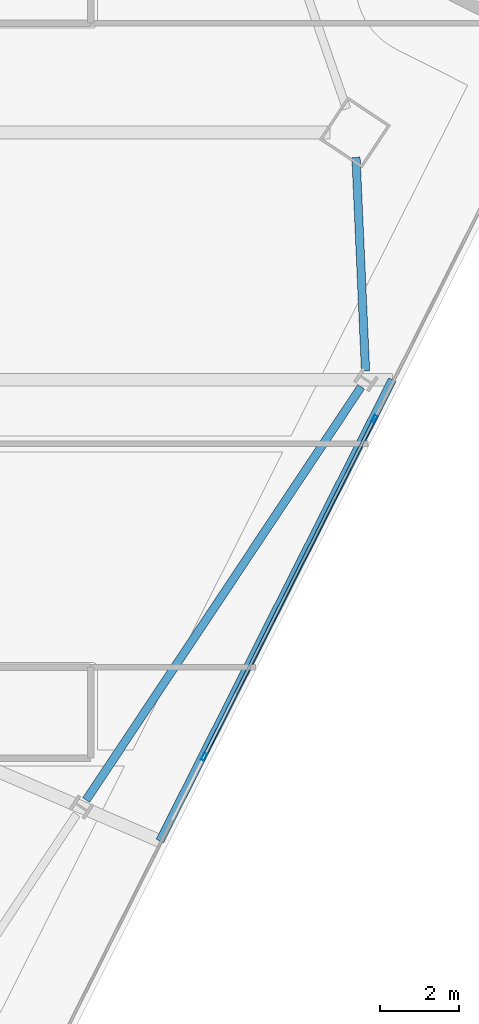
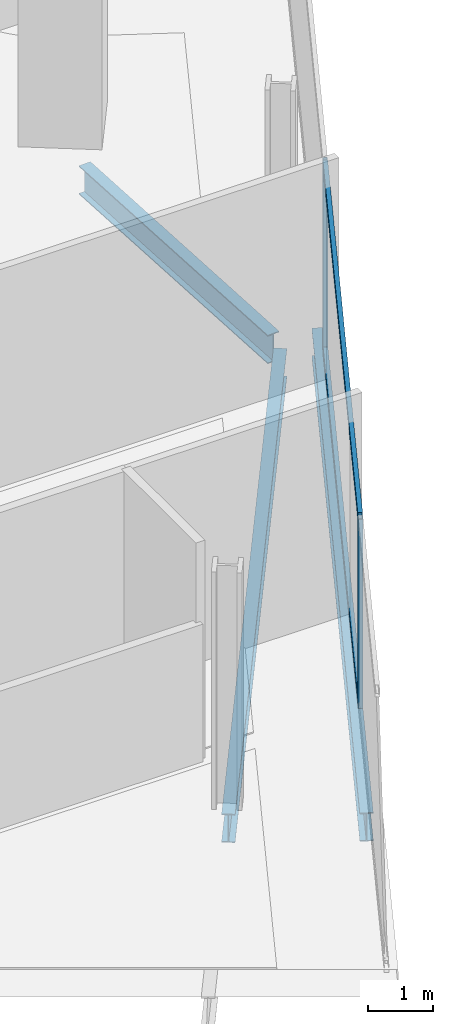
# One storey, part 12 of 27: 4 members, 3 beams, 1 element without a shape of its own.
"""IFC4 building model written with IfcOpenShell, lengths in metres."""

from ifc_helpers import new_model, si_unit, direction, frame, origin, origin_2d, place, context, subcontext, project, spatial, hollow_rectangle, i_section, extrude, material, material_profile, profile_set, type_object, element, aggregate, save


model = new_model("IFC4")

# Units and contexts
model_context = context("Model", 3, precision=1e-05, world=origin(), true_north=direction((0.0, 1.0)))
body_context = subcontext(model_context, "Body", "Model", "MODEL_VIEW")
ifc_project = project(units=[si_unit("LENGTHUNIT", "METRE"), si_unit("AREAUNIT", "SQUARE_METRE"), si_unit("VOLUMEUNIT", "CUBIC_METRE"), si_unit("PLANEANGLEUNIT", "RADIAN"), si_unit("MASSUNIT", "GRAM", prefix="KILO")], contexts=[model_context])

# Site, building, storey
site_placement = place(None, origin())
site = spatial("IfcSite", under=ifc_project, at=site_placement, CompositionType="ELEMENT")
building_placement = place(site_placement, origin())
building = spatial("IfcBuilding", under=site, at=building_placement, Name="Haldenkirk Collegiate Tower", CompositionType="ELEMENT")
storey_placement = place(building_placement, frame((0.0, 0.0, 239.699951171875)))
storey = spatial("IfcBuildingStorey", under=building, at=storey_placement, Name="L60", CompositionType="ELEMENT", Elevation=239.699951171875)

# Beams
ifc_material_1 = material(Name="Steel ASTM A992 Grade 50", Category="steel")
ifc_material_profile_1 = material_profile(ifc_material_1, i_section(OverallWidth=0.2099609375, OverallDepth=0.537109375, WebThickness=0.010986328125, FlangeThickness=0.017333984375, at=origin_2d()), Name="W21X68")
ifc_profile_set_1 = profile_set([ifc_material_profile_1], Name="Steel ASTM A992 Grade 50")
beam_type = type_object("IfcBeamType", Name="BM-SPANDREL-W21X68", PredefinedType="SPANDREL", material=ifc_profile_set_1)
beam_1_placement = place(storey_placement, frame((53.6845703125, 14.48876953125, -0.618408203125), z_axis=(0.554125989098, 0.832432813028, 0.0), x_axis=(-0.832432813028, 0.554125989098, 0.0)))
element("IfcBeam", 1, at=beam_1_placement, inside=storey, type_object=beam_type, Name="L60 perimeter spandrel beam 03", PredefinedType="SPANDREL", context=body_context, shape_type="SweptSolid", body=[
    extrude(i_section(OverallWidth=0.2099609375, OverallDepth=0.537109375, WebThickness=0.010986328125, FlangeThickness=0.017333984375, at=origin_2d()), origin(), (0.0, 0.0, 1.0), 12.56201171875),
])
beam_2_placement = place(storey_placement, frame((60.756103515625, 25.34326171875, -0.618408203125), z_axis=(-0.044622535616, 0.999003918569, 0.0), x_axis=(-0.999003918569, -0.044622535616, 0.0)))
element("IfcBeam", 2, at=beam_2_placement, inside=storey, type_object=beam_type, Name="L60 perimeter spandrel beam 04", PredefinedType="SPANDREL", context=body_context, shape_type="SweptSolid", body=[
    extrude(i_section(OverallWidth=0.2099609375, OverallDepth=0.537109375, WebThickness=0.010986328125, FlangeThickness=0.017333984375, at=origin_2d()), origin(), (0.0, 0.0, 1.0), 5.41650390625),
])
beam_3_placement = place(storey_placement, frame((55.549560546875, 13.452392578125, -0.618408203125), z_axis=(0.450102132145, 0.89297708293, 0.0), x_axis=(-0.89297708293, 0.450102132145, 0.0)))
element("IfcBeam", 3, at=beam_3_placement, inside=storey, type_object=beam_type, Name="L60 outer facade edge beam 1", PredefinedType="SPANDREL", context=body_context, shape_type="SweptSolid", body=[
    extrude(i_section(OverallWidth=0.2099609375, OverallDepth=0.537109375, WebThickness=0.010986328125, FlangeThickness=0.017333984375, at=origin_2d()), origin(), (0.0, 0.0, 1.0), 13.0732421875),
])

# Curtain wall, members
ifc_material_2 = material(Name="Anodised architectural bronze aluminium", Category="aluminium")
curtain_wall_type = type_object("IfcCurtainWallType", Name="CW-SYS2-CONCAVE", PredefinedType="USERDEFINED", material=ifc_material_2)
curtain_wall_placement = place(storey_placement, origin())
curtain_wall = element("IfcCurtainWall", 4, at=curtain_wall_placement, inside=storey, type_object=curtain_wall_type, Name="L60 South concave recessed bronze-anodised curtain wall", ObjectType="UNITISED CURTAIN WALL", PredefinedType="USERDEFINED")
ifc_material_profile_2 = material_profile(ifc_material_2, hollow_rectangle(XDim=0.074951171875, YDim=0.18994140625, WallThickness=0.0048828125, at=origin_2d()), Name="CW-MUL-02")
ifc_profile_set_2 = profile_set([ifc_material_profile_2], Name="Anodised architectural bronze aluminium")
member_type_1 = type_object("IfcMemberType", Name="CW-MUL-02", PredefinedType="MULLION", material=ifc_profile_set_2)
member_1_placement = place(storey_placement, frame((60.977783203125, 24.1328125, 0.0), z_axis=(0.0, 0.0, 1.0), x_axis=(0.892979715279, -0.450096909675, 0.0)))
member_1 = element("IfcMember", 5, at=member_1_placement, type_object=member_type_1, Name="CW-02 mullion 2", PredefinedType="MULLION", context=body_context, shape_type="SweptSolid", body=[
    extrude(hollow_rectangle(XDim=0.074951171875, YDim=0.18994140625, WallThickness=0.0048828125, at=origin_2d()), origin(), (0.0, 0.0, 1.0), 3.55810546875),
])
member_2_placement = place(storey_placement, frame((56.66796875, 15.58251953125, 0.0), z_axis=(0.0, 0.0, 1.0), x_axis=(0.892979715279, -0.450096909675, 0.0)))
member_2 = element("IfcMember", 6, at=member_2_placement, type_object=member_type_1, Name="CW-02 mullion 3", PredefinedType="MULLION", context=body_context, shape_type="SweptSolid", body=[
    extrude(hollow_rectangle(XDim=0.074951171875, YDim=0.18994140625, WallThickness=0.0048828125, at=origin_2d()), origin(), (0.0, 0.0, 1.0), 3.55810546875),
])
ifc_material_profile_3 = material_profile(ifc_material_2, hollow_rectangle(XDim=0.074951171875, YDim=0.159912109375, WallThickness=0.0048828125, at=origin_2d()), Name="CW-TRN-02")
ifc_profile_set_3 = profile_set([ifc_material_profile_3], Name="Anodised architectural bronze aluminium")
member_type_2 = type_object("IfcMemberType", Name="CW-TRN-02", PredefinedType="USERDEFINED", material=ifc_profile_set_3)
member_3_placement = place(storey_placement, frame((60.9609375, 24.09912109375, 0.03759765625), z_axis=(-0.450120372212, -0.892967888852, 0.0), x_axis=(0.892967888852, -0.450120372212, 0.0)))
member_3 = element("IfcMember", 7, at=member_3_placement, type_object=member_type_2, Name="CW-02 transom 2.1", ObjectType="TRANSOM", PredefinedType="USERDEFINED", context=body_context, shape_type="SweptSolid", body=[
    extrude(hollow_rectangle(XDim=0.074951171875, YDim=0.159912109375, WallThickness=0.0048828125, at=origin_2d()), origin(), (0.0, 0.0, 1.0), 9.5),
])
member_4_placement = place(storey_placement, frame((60.9609375, 24.09912109375, 3.5205078125), z_axis=(-0.450120372212, -0.892967888852, 0.0), x_axis=(0.892967888852, -0.450120372212, 0.0)))
member_4 = element("IfcMember", 8, at=member_4_placement, type_object=member_type_2, Name="CW-02 transom 2.2", ObjectType="TRANSOM", PredefinedType="USERDEFINED", context=body_context, shape_type="SweptSolid", body=[
    extrude(hollow_rectangle(XDim=0.074951171875, YDim=0.159912109375, WallThickness=0.0048828125, at=origin_2d()), origin(), (0.0, 0.0, 1.0), 9.5),
])
aggregate(curtain_wall, [member_1, member_2, member_3, member_4])

save(model, "model.ifc")
